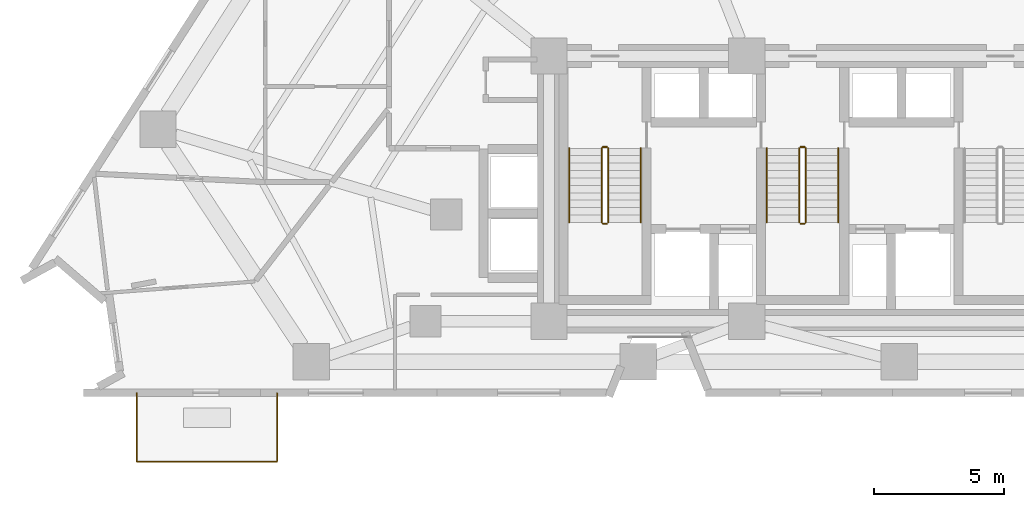
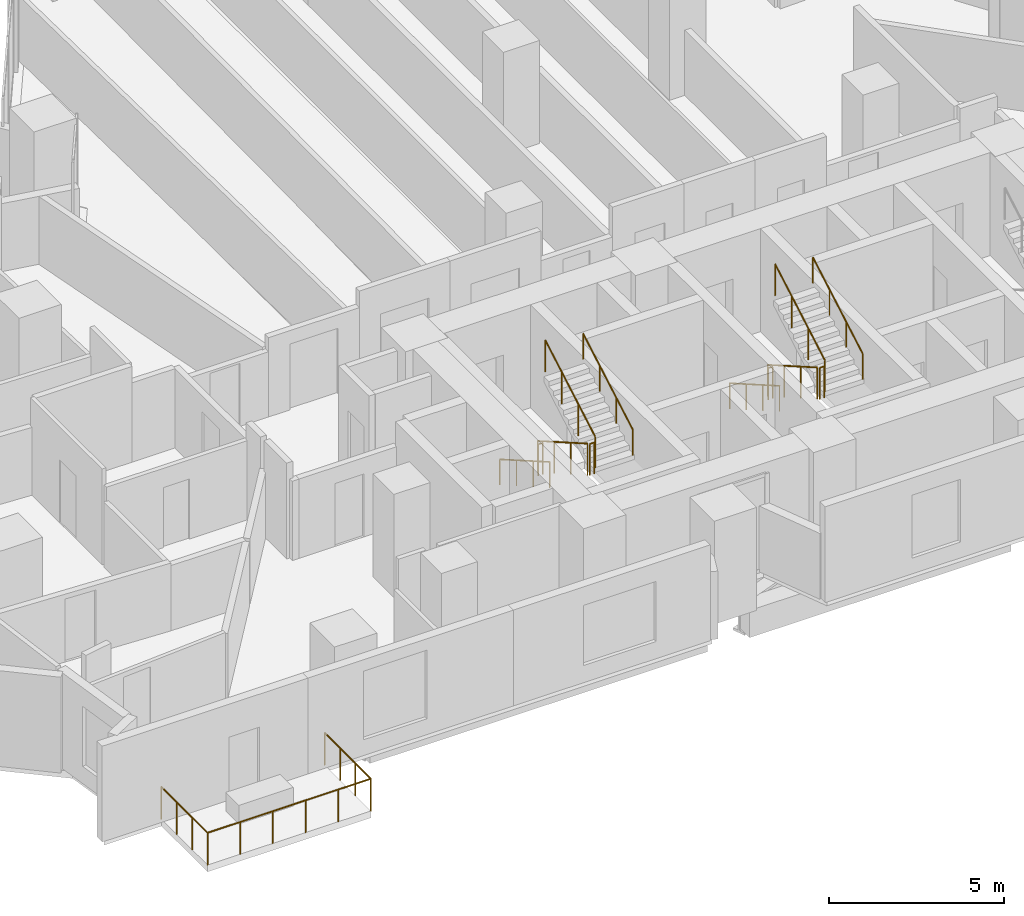
# One storey, part 12 of 15: 13 railings.
"""IFC4 building model written with IfcOpenShell, lengths in metres."""

from ifc_helpers import new_model, si_unit, direction, frame, origin, origin_2d, place, context, subcontext, project, spatial, circle, extrude, material, type_object, element, save


model = new_model("IFC4")

# Units and contexts
model_context = context("Model", 3, precision=1e-05, world=origin(), true_north=direction((0.0, 1.0)))
body_context = subcontext(model_context, "Body", "Model", "MODEL_VIEW")
ifc_project = project(units=[si_unit("LENGTHUNIT", "METRE"), si_unit("AREAUNIT", "SQUARE_METRE"), si_unit("VOLUMEUNIT", "CUBIC_METRE"), si_unit("PLANEANGLEUNIT", "RADIAN"), si_unit("MASSUNIT", "GRAM", prefix="KILO")], contexts=[model_context])

# Site, building, storey
site_placement = place(None, origin())
site = spatial("IfcSite", under=ifc_project, at=site_placement, CompositionType="ELEMENT")
building_placement = place(site_placement, origin())
building = spatial("IfcBuilding", under=site, at=building_placement, Name="Almagre Mirador Tower", CompositionType="ELEMENT")
storey_placement = place(building_placement, frame((0.0, 0.0, 39.0)))
storey = spatial("IfcBuildingStorey", under=building, at=storey_placement, Name="L08", CompositionType="ELEMENT", Elevation=39.0)

# Railings
ifc_material_1 = material(Name="Black anodized aluminium", Category="aluminium")
railing_type_1 = type_object("IfcRailingType", Name="RLG-BAL-1150", PredefinedType="BALUSTRADE", material=ifc_material_1)
railing_1_placement = place(storey_placement, frame((11.699951171875, 1.800048828125, 0.0)))
element("IfcRailing", 1, at=railing_1_placement, inside=storey, type_object=railing_type_1, Name="L08 south balcony balustrade 1", PredefinedType="BALUSTRADE", context=body_context, shape_type="SweptSolid", body=[
    extrude(circle(Radius=0.02392578125, at=origin_2d()), frame((0.0, 0.0, 1.1259765625), z_axis=(0.0, -1.0, 0.0), x_axis=(1.0, 0.0, 0.0)), (0.0, 0.0, 1.0), 2.650146484375),
    extrude(circle(Radius=0.02392578125, at=origin_2d()), frame((0.0, -2.650146484375, 1.1259765625), z_axis=(1.0, 0.0, 0.0), x_axis=(0.0, 1.0, 0.0)), (0.0, 0.0, 1.0), 5.400146484375),
    extrude(circle(Radius=0.02392578125, at=origin_2d()), frame((5.400146484375, -2.650146484375, 1.1259765625), z_axis=(0.0, 1.0, 0.0), x_axis=(-1.0, 0.0, 0.0)), (0.0, 0.0, 1.0), 2.650146484375),
    extrude(circle(Radius=0.02099609375, at=origin_2d()), origin(), (0.0, 0.0, 1.0), 1.101806640625),
    extrude(circle(Radius=0.02099609375, at=origin_2d()), frame((0.0, -0.88330078125, 0.0)), (0.0, 0.0, 1.0), 1.101806640625),
    extrude(circle(Radius=0.02099609375, at=origin_2d()), frame((0.0, -1.766845703125, 0.0)), (0.0, 0.0, 1.0), 1.101806640625),
    extrude(circle(Radius=0.02099609375, at=origin_2d()), frame((0.0, -2.650146484375, 0.0)), (0.0, 0.0, 1.0), 1.101806640625),
    extrude(circle(Radius=0.02099609375, at=origin_2d()), frame((1.080078125, -2.650146484375, 0.0)), (0.0, 0.0, 1.0), 1.101806640625),
    extrude(circle(Radius=0.02099609375, at=origin_2d()), frame((2.16015625, -2.650146484375, 0.0)), (0.0, 0.0, 1.0), 1.101806640625),
    extrude(circle(Radius=0.02099609375, at=origin_2d()), frame((3.239990234375, -2.650146484375, 0.0)), (0.0, 0.0, 1.0), 1.101806640625),
    extrude(circle(Radius=0.02099609375, at=origin_2d()), frame((4.320068359375, -2.650146484375, 0.0)), (0.0, 0.0, 1.0), 1.101806640625),
    extrude(circle(Radius=0.02099609375, at=origin_2d()), frame((5.400146484375, -2.650146484375, 0.0)), (0.0, 0.0, 1.0), 1.101806640625),
    extrude(circle(Radius=0.02099609375, at=origin_2d()), frame((5.400146484375, -1.766845703125, 0.0)), (0.0, 0.0, 1.0), 1.101806640625),
    extrude(circle(Radius=0.02099609375, at=origin_2d()), frame((5.400146484375, -0.88330078125, 0.0)), (0.0, 0.0, 1.0), 1.101806640625),
    extrude(circle(Radius=0.02099609375, at=origin_2d()), frame((5.400146484375, 0.0, 0.0)), (0.0, 0.0, 1.0), 1.101806640625),
])
ifc_material_2 = material(Name="Painted galvanized steel", Category="steel")
railing_type_2 = type_object("IfcRailingType", Name="RLG-GRD-1100", PredefinedType="GUARDRAIL", material=ifc_material_2)
railing_2_placement = place(storey_placement, frame((29.574951171875, 11.199951171875, 0.16357421875)))
element("IfcRailing", 2, at=railing_2_placement, inside=storey, type_object=railing_type_2, Name="L08 ST-1 stair guard 1", PredefinedType="GUARDRAIL", context=body_context, shape_type="SweptSolid", body=[
    extrude(circle(Radius=0.02392578125, at=origin_2d()), frame((0.0, 0.0, 1.09619140625), z_axis=(0.0, -0.867194282975, 0.497969954491), x_axis=(1.0, 0.0, 0.0)), (0.0, 0.0, 1.0), 3.286376953125),
    extrude(circle(Radius=0.02099609375, at=origin_2d()), origin(), (0.0, 0.0, 1.0), 1.072021484375),
    extrude(circle(Radius=0.02099609375, at=origin_2d()), frame((0.0, -0.949951171875, 0.54541015625)), (0.0, 0.0, 1.0), 1.072021484375),
    extrude(circle(Radius=0.02099609375, at=origin_2d()), frame((0.0, -1.89990234375, 1.091064453125)), (0.0, 0.0, 1.0), 1.072021484375),
    extrude(circle(Radius=0.02099609375, at=origin_2d()), frame((0.0, -2.849853515625, 1.636474609375)), (0.0, 0.0, 1.0), 1.072021484375),
])
railing_3_placement = place(storey_placement, frame((29.625, 8.300048828125, 1.800048828125)))
element("IfcRailing", 3, at=railing_3_placement, inside=storey, type_object=railing_type_2, Name="L08 ST-1 stair guard 2", PredefinedType="GUARDRAIL", context=body_context, shape_type="SweptSolid", body=[
    extrude(circle(Radius=0.02392578125, at=origin_2d()), frame((0.0, 0.0, 1.09619140625), z_axis=(1.0, 0.0, 0.0), x_axis=(0.0, 1.0, 0.0)), (0.0, 0.0, 1.0), 0.14990234375),
    extrude(circle(Radius=0.02099609375, at=origin_2d()), origin(), (0.0, 0.0, 1.0), 1.072021484375),
    extrude(circle(Radius=0.02099609375, at=origin_2d()), frame((0.14990234375, 0.0, 0.0)), (0.0, 0.0, 1.0), 1.072021484375),
])
railing_4_placement = place(storey_placement, frame((29.824951171875, 8.35009765625, 1.963623046875)))
element("IfcRailing", 4, at=railing_4_placement, inside=storey, type_object=railing_type_2, Name="L08 ST-1 stair guard 3", PredefinedType="GUARDRAIL", context=body_context, shape_type="SweptSolid", body=[
    extrude(circle(Radius=0.02392578125, at=origin_2d()), frame((0.0, 0.0, 1.09619140625), z_axis=(0.0, 0.867194282975, 0.497969954491), x_axis=(-1.0, 0.0, 0.0)), (0.0, 0.0, 1.0), 3.286376953125),
    extrude(circle(Radius=0.02099609375, at=origin_2d()), origin(), (0.0, 0.0, 1.0), 1.072021484375),
    extrude(circle(Radius=0.02099609375, at=origin_2d()), frame((0.0, 0.949951171875, 0.54541015625)), (0.0, 0.0, 1.0), 1.072021484375),
    extrude(circle(Radius=0.02099609375, at=origin_2d()), frame((0.0, 1.89990234375, 1.091064453125)), (0.0, 0.0, 1.0), 1.072021484375),
    extrude(circle(Radius=0.02099609375, at=origin_2d()), frame((0.0, 2.849853515625, 1.636474609375)), (0.0, 0.0, 1.0), 1.072021484375),
])
railing_5_placement = place(storey_placement, frame((29.625, 11.25, 0.0)))
element("IfcRailing", 5, at=railing_5_placement, inside=storey, type_object=railing_type_2, Name="L08 ST-1 stair guard 4", PredefinedType="GUARDRAIL", context=body_context, shape_type="SweptSolid", body=[
    extrude(circle(Radius=0.02392578125, at=origin_2d()), frame((0.0, 0.0, 1.09619140625), z_axis=(1.0, 0.0, 0.0), x_axis=(0.0, 1.0, 0.0)), (0.0, 0.0, 1.0), 0.14990234375),
    extrude(circle(Radius=0.02099609375, at=origin_2d()), origin(), (0.0, 0.0, 1.0), 1.072021484375),
    extrude(circle(Radius=0.02099609375, at=origin_2d()), frame((0.14990234375, 0.0, 0.0)), (0.0, 0.0, 1.0), 1.072021484375),
])
railing_6_placement = place(storey_placement, frame((37.175048828125, 11.199951171875, 0.16357421875)))
element("IfcRailing", 6, at=railing_6_placement, inside=storey, type_object=railing_type_2, Name="L08 ST-2 stair guard 1", PredefinedType="GUARDRAIL", context=body_context, shape_type="SweptSolid", body=[
    extrude(circle(Radius=0.02392578125, at=origin_2d()), frame((0.0, 0.0, 1.09619140625), z_axis=(0.0, -0.867194282975, 0.497969954491), x_axis=(1.0, 0.0, 0.0)), (0.0, 0.0, 1.0), 3.286376953125),
    extrude(circle(Radius=0.02099609375, at=origin_2d()), origin(), (0.0, 0.0, 1.0), 1.072021484375),
    extrude(circle(Radius=0.02099609375, at=origin_2d()), frame((0.0, -0.949951171875, 0.54541015625)), (0.0, 0.0, 1.0), 1.072021484375),
    extrude(circle(Radius=0.02099609375, at=origin_2d()), frame((0.0, -1.89990234375, 1.091064453125)), (0.0, 0.0, 1.0), 1.072021484375),
    extrude(circle(Radius=0.02099609375, at=origin_2d()), frame((0.0, -2.849853515625, 1.636474609375)), (0.0, 0.0, 1.0), 1.072021484375),
])
railing_7_placement = place(storey_placement, frame((37.22509765625, 8.300048828125, 1.800048828125)))
element("IfcRailing", 7, at=railing_7_placement, inside=storey, type_object=railing_type_2, Name="L08 ST-2 stair guard 2", PredefinedType="GUARDRAIL", context=body_context, shape_type="SweptSolid", body=[
    extrude(circle(Radius=0.02392578125, at=origin_2d()), frame((0.0, 0.0, 1.09619140625), z_axis=(1.0, 0.0, 0.0), x_axis=(0.0, 1.0, 0.0)), (0.0, 0.0, 1.0), 0.14990234375),
    extrude(circle(Radius=0.02099609375, at=origin_2d()), origin(), (0.0, 0.0, 1.0), 1.072021484375),
    extrude(circle(Radius=0.02099609375, at=origin_2d()), frame((0.14990234375, 0.0, 0.0)), (0.0, 0.0, 1.0), 1.072021484375),
])
railing_8_placement = place(storey_placement, frame((37.425048828125, 8.35009765625, 1.963623046875)))
element("IfcRailing", 8, at=railing_8_placement, inside=storey, type_object=railing_type_2, Name="L08 ST-2 stair guard 3", PredefinedType="GUARDRAIL", context=body_context, shape_type="SweptSolid", body=[
    extrude(circle(Radius=0.02392578125, at=origin_2d()), frame((0.0, 0.0, 1.09619140625), z_axis=(0.0, 0.867194282975, 0.497969954491), x_axis=(-1.0, 0.0, 0.0)), (0.0, 0.0, 1.0), 3.286376953125),
    extrude(circle(Radius=0.02099609375, at=origin_2d()), origin(), (0.0, 0.0, 1.0), 1.072021484375),
    extrude(circle(Radius=0.02099609375, at=origin_2d()), frame((0.0, 0.949951171875, 0.54541015625)), (0.0, 0.0, 1.0), 1.072021484375),
    extrude(circle(Radius=0.02099609375, at=origin_2d()), frame((0.0, 1.89990234375, 1.091064453125)), (0.0, 0.0, 1.0), 1.072021484375),
    extrude(circle(Radius=0.02099609375, at=origin_2d()), frame((0.0, 2.849853515625, 1.636474609375)), (0.0, 0.0, 1.0), 1.072021484375),
])
railing_9_placement = place(storey_placement, frame((37.22509765625, 11.25, 0.0)))
element("IfcRailing", 9, at=railing_9_placement, inside=storey, type_object=railing_type_2, Name="L08 ST-2 stair guard 4", PredefinedType="GUARDRAIL", context=body_context, shape_type="SweptSolid", body=[
    extrude(circle(Radius=0.02392578125, at=origin_2d()), frame((0.0, 0.0, 1.09619140625), z_axis=(1.0, 0.0, 0.0), x_axis=(0.0, 1.0, 0.0)), (0.0, 0.0, 1.0), 0.14990234375),
    extrude(circle(Radius=0.02099609375, at=origin_2d()), origin(), (0.0, 0.0, 1.0), 1.072021484375),
    extrude(circle(Radius=0.02099609375, at=origin_2d()), frame((0.14990234375, 0.0, 0.0)), (0.0, 0.0, 1.0), 1.072021484375),
])
ifc_material_3 = material(Name="Brushed stainless steel", Category="steel")
railing_type_3 = type_object("IfcRailingType", Name="RLG-HND-915", PredefinedType="HANDRAIL", material=ifc_material_3)
railing_10_placement = place(storey_placement, frame((28.324951171875, 11.199951171875, 0.16357421875)))
element("IfcRailing", 10, at=railing_10_placement, inside=storey, type_object=railing_type_3, Name="L08 ST-1 stair handrail 1", PredefinedType="HANDRAIL", context=body_context, shape_type="SweptSolid", body=[
    extrude(circle(Radius=0.02392578125, at=origin_2d()), frame((0.0, 0.0, 0.89111328125), z_axis=(0.0, -0.867194282975, 0.497969954491), x_axis=(1.0, 0.0, 0.0)), (0.0, 0.0, 1.0), 3.286376953125),
    extrude(circle(Radius=0.02099609375, at=origin_2d()), origin(), (0.0, 0.0, 1.0), 0.866943359375),
    extrude(circle(Radius=0.02099609375, at=origin_2d()), frame((0.0, -0.949951171875, 0.54541015625)), (0.0, 0.0, 1.0), 0.866943359375),
    extrude(circle(Radius=0.02099609375, at=origin_2d()), frame((0.0, -1.89990234375, 1.091064453125)), (0.0, 0.0, 1.0), 0.866943359375),
    extrude(circle(Radius=0.02099609375, at=origin_2d()), frame((0.0, -2.849853515625, 1.636474609375)), (0.0, 0.0, 1.0), 0.866943359375),
])
railing_11_placement = place(storey_placement, frame((31.074951171875, 8.35009765625, 1.963623046875)))
element("IfcRailing", 11, at=railing_11_placement, inside=storey, type_object=railing_type_3, Name="L08 ST-1 stair handrail 2", PredefinedType="HANDRAIL", context=body_context, shape_type="SweptSolid", body=[
    extrude(circle(Radius=0.02392578125, at=origin_2d()), frame((0.0, 0.0, 0.89111328125), z_axis=(0.0, 0.867194282975, 0.497969954491), x_axis=(-1.0, 0.0, 0.0)), (0.0, 0.0, 1.0), 3.286376953125),
    extrude(circle(Radius=0.02099609375, at=origin_2d()), origin(), (0.0, 0.0, 1.0), 0.866943359375),
    extrude(circle(Radius=0.02099609375, at=origin_2d()), frame((0.0, 0.949951171875, 0.54541015625)), (0.0, 0.0, 1.0), 0.866943359375),
    extrude(circle(Radius=0.02099609375, at=origin_2d()), frame((0.0, 1.89990234375, 1.091064453125)), (0.0, 0.0, 1.0), 0.866943359375),
    extrude(circle(Radius=0.02099609375, at=origin_2d()), frame((0.0, 2.849853515625, 1.636474609375)), (0.0, 0.0, 1.0), 0.866943359375),
])
railing_12_placement = place(storey_placement, frame((35.925048828125, 11.199951171875, 0.16357421875)))
element("IfcRailing", 12, at=railing_12_placement, inside=storey, type_object=railing_type_3, Name="L08 ST-2 stair handrail 1", PredefinedType="HANDRAIL", context=body_context, shape_type="SweptSolid", body=[
    extrude(circle(Radius=0.02392578125, at=origin_2d()), frame((0.0, 0.0, 0.89111328125), z_axis=(0.0, -0.867194282975, 0.497969954491), x_axis=(1.0, 0.0, 0.0)), (0.0, 0.0, 1.0), 3.286376953125),
    extrude(circle(Radius=0.02099609375, at=origin_2d()), origin(), (0.0, 0.0, 1.0), 0.866943359375),
    extrude(circle(Radius=0.02099609375, at=origin_2d()), frame((0.0, -0.949951171875, 0.54541015625)), (0.0, 0.0, 1.0), 0.866943359375),
    extrude(circle(Radius=0.02099609375, at=origin_2d()), frame((0.0, -1.89990234375, 1.091064453125)), (0.0, 0.0, 1.0), 0.866943359375),
    extrude(circle(Radius=0.02099609375, at=origin_2d()), frame((0.0, -2.849853515625, 1.636474609375)), (0.0, 0.0, 1.0), 0.866943359375),
])
railing_13_placement = place(storey_placement, frame((38.675048828125, 8.35009765625, 1.963623046875)))
element("IfcRailing", 13, at=railing_13_placement, inside=storey, type_object=railing_type_3, Name="L08 ST-2 stair handrail 2", PredefinedType="HANDRAIL", context=body_context, shape_type="SweptSolid", body=[
    extrude(circle(Radius=0.02392578125, at=origin_2d()), frame((0.0, 0.0, 0.89111328125), z_axis=(0.0, 0.867194282975, 0.497969954491), x_axis=(-1.0, 0.0, 0.0)), (0.0, 0.0, 1.0), 3.286376953125),
    extrude(circle(Radius=0.02099609375, at=origin_2d()), origin(), (0.0, 0.0, 1.0), 0.866943359375),
    extrude(circle(Radius=0.02099609375, at=origin_2d()), frame((0.0, 0.949951171875, 0.54541015625)), (0.0, 0.0, 1.0), 0.866943359375),
    extrude(circle(Radius=0.02099609375, at=origin_2d()), frame((0.0, 1.89990234375, 1.091064453125)), (0.0, 0.0, 1.0), 0.866943359375),
    extrude(circle(Radius=0.02099609375, at=origin_2d()), frame((0.0, 2.849853515625, 1.636474609375)), (0.0, 0.0, 1.0), 0.866943359375),
])

save(model, "model.ifc")
